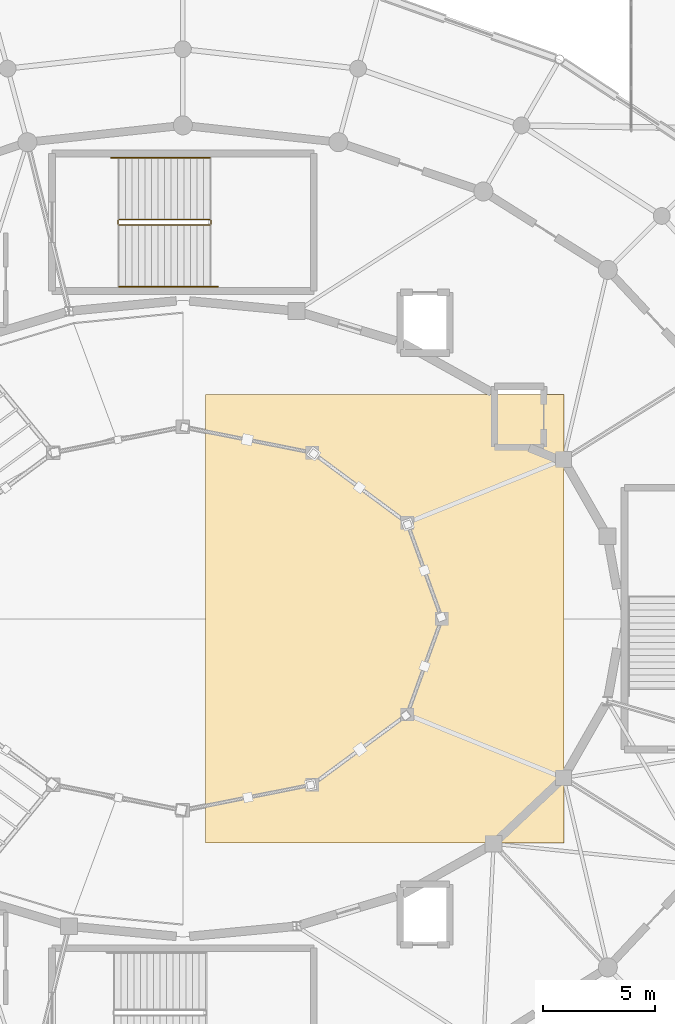
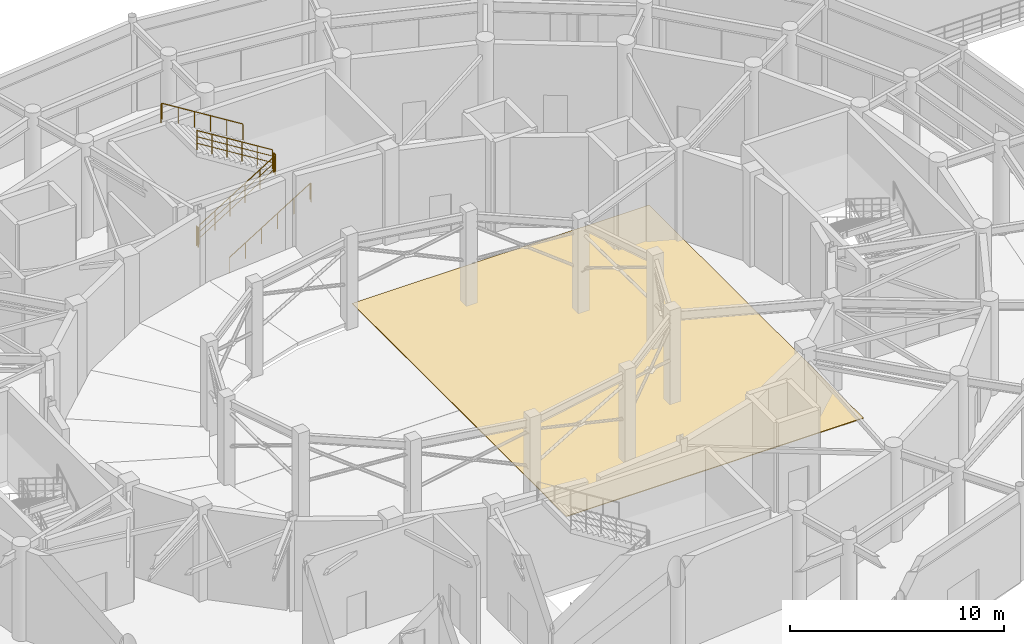
# One storey, part 87 of 93: 6 railings, 1 covering.
"""IFC4 building model written with IfcOpenShell, lengths in metres."""

from ifc_helpers import new_model, si_unit, direction, frame, origin, origin_2d, place, context, subcontext, project, spatial, polyline, circle, outline, extrude, material, layer, layer_set, type_object, element, save


model = new_model("IFC4")

# Units and contexts
model_context = context("Model", 3, precision=1e-05, world=origin(), true_north=direction((0.0, 1.0)))
body_context = subcontext(model_context, "Body", "Model", "MODEL_VIEW")
ifc_project = project(units=[si_unit("LENGTHUNIT", "METRE"), si_unit("AREAUNIT", "SQUARE_METRE"), si_unit("VOLUMEUNIT", "CUBIC_METRE"), si_unit("PLANEANGLEUNIT", "RADIAN"), si_unit("MASSUNIT", "GRAM", prefix="KILO")], contexts=[model_context])

# Site, building, storey
site_placement = place(None, origin())
site = spatial("IfcSite", under=ifc_project, at=site_placement, CompositionType="ELEMENT")
building_placement = place(site_placement, origin())
building = spatial("IfcBuilding", under=site, at=building_placement, Name="Cinderbank Siding Concert Hall", CompositionType="ELEMENT")
storey_placement = place(building_placement, origin())
storey = spatial("IfcBuildingStorey", under=building, at=storey_placement, Name="L01", CompositionType="ELEMENT", Elevation=0.0)

# Covering
ifc_material_1 = material(Name="Spotted gum glulam timber GL18 (42 MPa)", Category="wood")
ifc_layer = layer(ifc_material_1, 0.0400390625)
ifc_layer_set = layer_set([ifc_layer], Name="Spotted gum glulam timber GL18 (42 MPa)")
covering_type = type_object("IfcCoveringType", Name="FLR-01 Sprung Spotted Gum Stage Flooring", PredefinedType="FLOORING", material=ifc_layer_set)
covering_placement = place(storey_placement, origin())
element("IfcCovering", 1, at=covering_placement, inside=storey, type_object=covering_type, Name="Main Concert Hall Sprung Timber Stage", PredefinedType="FLOORING", context=body_context, shape_type="SweptSolid", body=[
    extrude(outline(polyline([(123.0, 34.0), (139.0, 34.0), (139.0, 54.0), (123.0, 54.0), (123.0, 34.0)])), origin(), (0.0, 0.0, 1.0), 0.0400390625),
])

# Railings
ifc_material_2 = material(Name="Structural steel AS/NZS 3679.1 Grade 350 (340 MPa)", Category="steel")
railing_type_1 = type_object("IfcRailingType", Name="STG-01 Stair Well Guardrail 1120mm", PredefinedType="GUARDRAIL", material=ifc_material_2)
railing_1_placement = place(storey_placement, frame((119.14990234375, 61.550048828125, 0.179931640625)))
element("IfcRailing", 2, at=railing_1_placement, inside=storey, type_object=railing_type_1, Name="L01 ST-01 stair guard 1", PredefinedType="GUARDRAIL", context=body_context, shape_type="SweptSolid", body=[
    extrude(circle(Radius=0.02392578125, at=origin_2d()), frame((0.0, 0.0, 1.09619140625), z_axis=(0.849641744969, 0.0, 0.527360318194), x_axis=(0.0, 1.0, 0.0)), (0.0, 0.0, 1.0), 4.778564453125),
    extrude(circle(Radius=0.01611328125, at=origin_2d()), frame((0.0, 0.0, 0.36962890625), z_axis=(0.849641744969, 0.0, 0.527360318194), x_axis=(0.0, 1.0, 0.0)), (0.0, 0.0, 1.0), 4.778564453125),
    extrude(circle(Radius=0.01611328125, at=origin_2d()), frame((0.0, 0.0, 0.7392578125), z_axis=(0.849641744969, 0.0, 0.527360318194), x_axis=(0.0, 1.0, 0.0)), (0.0, 0.0, 1.0), 4.778564453125),
    extrude(circle(Radius=0.02099609375, at=origin_2d()), origin(), (0.0, 0.0, 1.0), 1.072021484375),
    extrude(circle(Radius=0.02099609375, at=origin_2d()), frame((0.81201171875, 0.0, 0.50390625)), (0.0, 0.0, 1.0), 1.072021484375),
    extrude(circle(Radius=0.02099609375, at=origin_2d()), frame((1.6240234375, 0.0, 1.008056640625)), (0.0, 0.0, 1.0), 1.072021484375),
    extrude(circle(Radius=0.02099609375, at=origin_2d()), frame((2.43603515625, 0.0, 1.511962890625)), (0.0, 0.0, 1.0), 1.072021484375),
    extrude(circle(Radius=0.02099609375, at=origin_2d()), frame((3.248046875, 0.0, 2.01611328125)), (0.0, 0.0, 1.0), 1.072021484375),
    extrude(circle(Radius=0.02099609375, at=origin_2d()), frame((4.06005859375, 0.0, 2.52001953125)), (0.0, 0.0, 1.0), 1.072021484375),
])
railing_2_placement = place(storey_placement, frame((123.260009765625, 61.60009765625, 2.699951171875)))
element("IfcRailing", 3, at=railing_2_placement, inside=storey, type_object=railing_type_1, Name="L01 ST-01 stair guard 2", PredefinedType="GUARDRAIL", context=body_context, shape_type="SweptSolid", body=[
    extrude(circle(Radius=0.02392578125, at=origin_2d()), frame((0.0, 0.0, 1.09619140625), z_axis=(0.0, 1.0, 0.0), x_axis=(-1.0, 0.0, 0.0)), (0.0, 0.0, 1.0), 0.159912109375),
    extrude(circle(Radius=0.01611328125, at=origin_2d()), frame((0.0, 0.0, 0.36962890625), z_axis=(0.0, 1.0, 0.0), x_axis=(-1.0, 0.0, 0.0)), (0.0, 0.0, 1.0), 0.159912109375),
    extrude(circle(Radius=0.01611328125, at=origin_2d()), frame((0.0, 0.0, 0.7392578125), z_axis=(0.0, 1.0, 0.0), x_axis=(-1.0, 0.0, 0.0)), (0.0, 0.0, 1.0), 0.159912109375),
    extrude(circle(Radius=0.02099609375, at=origin_2d()), origin(), (0.0, 0.0, 1.0), 1.072021484375),
    extrude(circle(Radius=0.02099609375, at=origin_2d()), frame((0.0, 0.159912109375, 0.0)), (0.0, 0.0, 1.0), 1.072021484375),
])
railing_3_placement = place(storey_placement, frame((123.2099609375, 61.81005859375, 2.8798828125)))
element("IfcRailing", 4, at=railing_3_placement, inside=storey, type_object=railing_type_1, Name="L01 ST-01 stair guard 3", PredefinedType="GUARDRAIL", context=body_context, shape_type="SweptSolid", body=[
    extrude(circle(Radius=0.02392578125, at=origin_2d()), frame((0.0, 0.0, 1.09619140625), z_axis=(-0.849641744969, 0.0, 0.527360318194), x_axis=(0.0, -1.0, 0.0)), (0.0, 0.0, 1.0), 4.778564453125),
    extrude(circle(Radius=0.01611328125, at=origin_2d()), frame((0.0, 0.0, 0.36962890625), z_axis=(-0.849641744969, 0.0, 0.527360318194), x_axis=(0.0, -1.0, 0.0)), (0.0, 0.0, 1.0), 4.778564453125),
    extrude(circle(Radius=0.01611328125, at=origin_2d()), frame((0.0, 0.0, 0.7392578125), z_axis=(-0.849641744969, 0.0, 0.527360318194), x_axis=(0.0, -1.0, 0.0)), (0.0, 0.0, 1.0), 4.778564453125),
    extrude(circle(Radius=0.02099609375, at=origin_2d()), origin(), (0.0, 0.0, 1.0), 1.072021484375),
    extrude(circle(Radius=0.02099609375, at=origin_2d()), frame((-0.81201171875, 0.0, 0.50390625)), (0.0, 0.0, 1.0), 1.072021484375),
    extrude(circle(Radius=0.02099609375, at=origin_2d()), frame((-1.6240234375, 0.0, 1.008056640625)), (0.0, 0.0, 1.0), 1.072021484375),
    extrude(circle(Radius=0.02099609375, at=origin_2d()), frame((-2.43603515625, 0.0, 1.511962890625)), (0.0, 0.0, 1.0), 1.072021484375),
    extrude(circle(Radius=0.02099609375, at=origin_2d()), frame((-3.248046875, 0.0, 2.01611328125)), (0.0, 0.0, 1.0), 1.072021484375),
    extrude(circle(Radius=0.02099609375, at=origin_2d()), frame((-4.06005859375, 0.0, 2.52001953125)), (0.0, 0.0, 1.0), 1.072021484375),
])
railing_4_placement = place(storey_placement, frame((119.10009765625, 61.60009765625, 0.0)))
element("IfcRailing", 5, at=railing_4_placement, inside=storey, type_object=railing_type_1, Name="L01 ST-01 stair guard 4", PredefinedType="GUARDRAIL", context=body_context, shape_type="SweptSolid", body=[
    extrude(circle(Radius=0.02392578125, at=origin_2d()), frame((0.0, 0.0, 1.09619140625), z_axis=(0.0, 1.0, 0.0), x_axis=(-1.0, 0.0, 0.0)), (0.0, 0.0, 1.0), 0.159912109375),
    extrude(circle(Radius=0.01611328125, at=origin_2d()), frame((0.0, 0.0, 0.36962890625), z_axis=(0.0, 1.0, 0.0), x_axis=(-1.0, 0.0, 0.0)), (0.0, 0.0, 1.0), 0.159912109375),
    extrude(circle(Radius=0.01611328125, at=origin_2d()), frame((0.0, 0.0, 0.7392578125), z_axis=(0.0, 1.0, 0.0), x_axis=(-1.0, 0.0, 0.0)), (0.0, 0.0, 1.0), 0.159912109375),
    extrude(circle(Radius=0.02099609375, at=origin_2d()), origin(), (0.0, 0.0, 1.0), 1.072021484375),
    extrude(circle(Radius=0.02099609375, at=origin_2d()), frame((0.0, 0.159912109375, 0.0)), (0.0, 0.0, 1.0), 1.072021484375),
])
railing_type_2 = type_object("IfcRailingType", Name="STH-01 Stair Pitch Handrail 920mm", PredefinedType="HANDRAIL", material=ifc_material_2)
railing_5_placement = place(storey_placement, frame((119.14990234375, 58.800048828125, 0.179931640625)))
element("IfcRailing", 6, at=railing_5_placement, inside=storey, type_object=railing_type_2, Name="L01 ST-01 stair handrail 1", PredefinedType="HANDRAIL", context=body_context, shape_type="SweptSolid", body=[
    extrude(circle(Radius=0.02392578125, at=origin_2d()), frame((0.0, 0.0, 0.89599609375), z_axis=(0.849649743971, 0.0, 0.527347430608), x_axis=(0.0, 1.0, 0.0)), (0.0, 0.0, 1.0), 5.119873046875),
    extrude(circle(Radius=0.02392578125, at=origin_2d()), frame((4.35009765625, 0.0, 3.595703125), z_axis=(1.0, 0.0, 0.0), x_axis=(0.0, 1.0, 0.0)), (0.0, 0.0, 1.0), 0.06005859375),
    extrude(circle(Radius=0.02099609375, at=origin_2d()), origin(), (0.0, 0.0, 1.0), 0.871826171875),
    extrude(circle(Radius=0.02099609375, at=origin_2d()), frame((0.8701171875, 0.0, 0.5400390625)), (0.0, 0.0, 1.0), 0.871826171875),
    extrude(circle(Radius=0.02099609375, at=origin_2d()), frame((1.739990234375, 0.0, 1.080078125)), (0.0, 0.0, 1.0), 0.871826171875),
    extrude(circle(Radius=0.02099609375, at=origin_2d()), frame((2.610107421875, 0.0, 1.619873046875)), (0.0, 0.0, 1.0), 0.871826171875),
    extrude(circle(Radius=0.02099609375, at=origin_2d()), frame((3.47998046875, 0.0, 2.159912109375)), (0.0, 0.0, 1.0), 0.871826171875),
    extrude(circle(Radius=0.02099609375, at=origin_2d()), frame((4.35009765625, 0.0, 2.699951171875)), (0.0, 0.0, 1.0), 0.871826171875),
    extrude(circle(Radius=0.02099609375, at=origin_2d()), frame((4.41015625, 0.0, 2.52001953125)), (0.0, 0.0, 1.0), 1.0517578125),
])
railing_6_placement = place(storey_placement, frame((123.2099609375, 64.56005859375, 2.8798828125)))
element("IfcRailing", 7, at=railing_6_placement, inside=storey, type_object=railing_type_2, Name="L01 ST-01 stair handrail 2", PredefinedType="HANDRAIL", context=body_context, shape_type="SweptSolid", body=[
    extrude(circle(Radius=0.02392578125, at=origin_2d()), frame((0.0, 0.0, 0.89599609375), z_axis=(-0.849615114927, 0.0, 0.52740322002), x_axis=(0.0, -1.0, 0.0)), (0.0, 0.0, 1.0), 5.119873046875),
    extrude(circle(Radius=0.02392578125, at=origin_2d()), frame((-4.349853515625, 0.0, 3.59619140625), z_axis=(-1.0, 0.0, 0.0), x_axis=(0.0, -1.0, 0.0)), (0.0, 0.0, 1.0), 0.06005859375),
    extrude(circle(Radius=0.02099609375, at=origin_2d()), origin(), (0.0, 0.0, 1.0), 0.871826171875),
    extrude(circle(Radius=0.02099609375, at=origin_2d()), frame((-0.869873046875, 0.0, 0.5400390625)), (0.0, 0.0, 1.0), 0.871826171875),
    extrude(circle(Radius=0.02099609375, at=origin_2d()), frame((-1.739990234375, 0.0, 1.080078125)), (0.0, 0.0, 1.0), 0.871826171875),
    extrude(circle(Radius=0.02099609375, at=origin_2d()), frame((-2.60986328125, 0.0, 1.6201171875)), (0.0, 0.0, 1.0), 0.871826171875),
    extrude(circle(Radius=0.02099609375, at=origin_2d()), frame((-3.47998046875, 0.0, 2.16015625)), (0.0, 0.0, 1.0), 0.871826171875),
    extrude(circle(Radius=0.02099609375, at=origin_2d()), frame((-4.349853515625, 0.0, 2.7001953125)), (0.0, 0.0, 1.0), 0.871826171875),
    extrude(circle(Radius=0.02099609375, at=origin_2d()), frame((-4.409912109375, 0.0, 2.520263671875)), (0.0, 0.0, 1.0), 1.0517578125),
])

save(model, "model.ifc")
